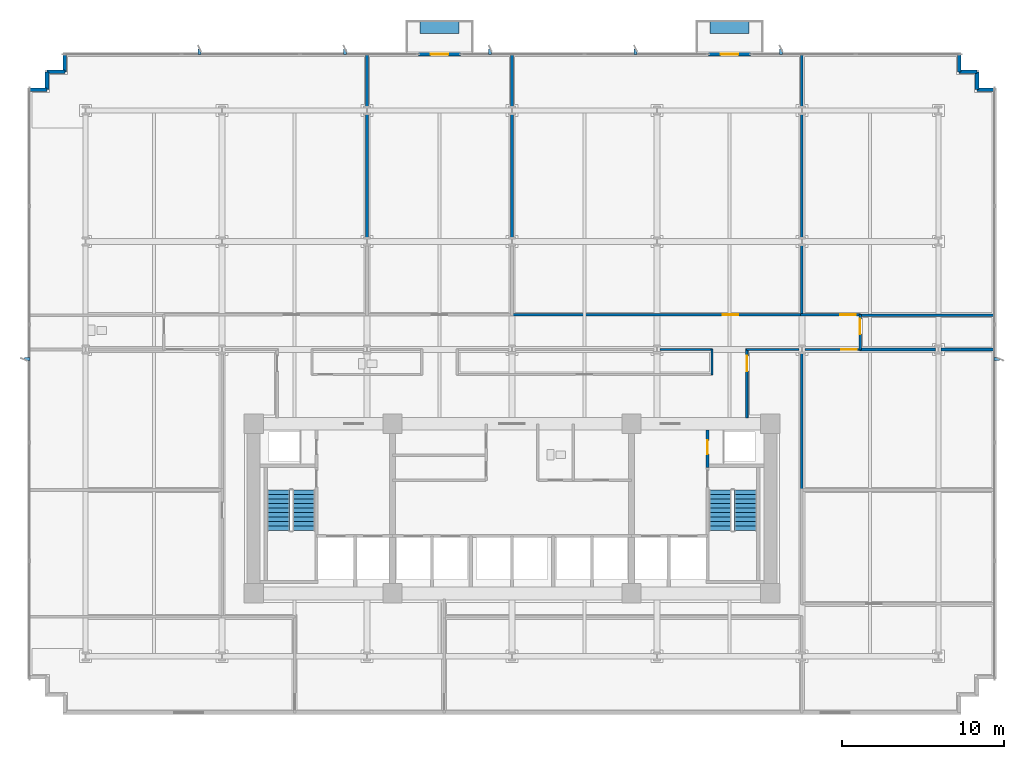
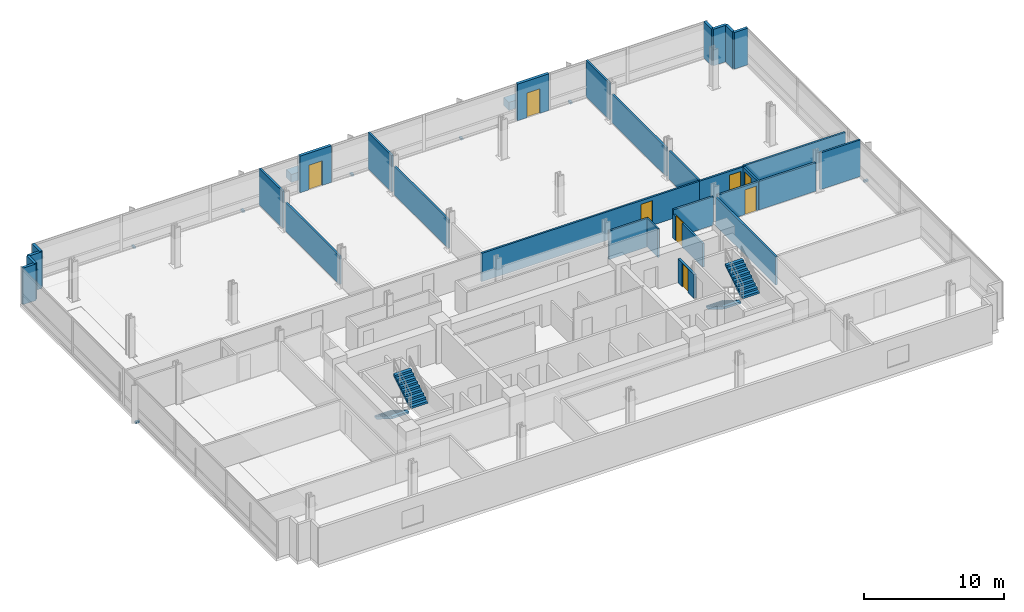
# One storey, part 10 of 14: 30 walls, 9 discrete accessories, 8 doors, 4 stair flights, 8 openings, 2 elements without a shape of their own.
"""IFC4 building model written with IfcOpenShell, lengths in metres."""

from ifc_helpers import new_model, si_unit, direction, frame, frame_2d, origin, origin_2d, place, context, subcontext, project, spatial, polyline, rectangle, outline, extrude, material, layer, layer_set, type_object, element, fill, aggregate, save


model = new_model("IFC4")

# Units and contexts
model_context = context("Model", 3, precision=1e-05, world=origin(), true_north=direction((0.0, 1.0)))
body_context = subcontext(model_context, "Body", "Model", "MODEL_VIEW")
ifc_project = project(units=[si_unit("LENGTHUNIT", "METRE"), si_unit("AREAUNIT", "SQUARE_METRE"), si_unit("VOLUMEUNIT", "CUBIC_METRE"), si_unit("PLANEANGLEUNIT", "RADIAN"), si_unit("MASSUNIT", "GRAM", prefix="KILO")], contexts=[model_context])

# Site, building, storey
site_placement = place(None, origin())
site = spatial("IfcSite", under=ifc_project, at=site_placement, CompositionType="ELEMENT")
building_placement = place(site_placement, origin())
building = spatial("IfcBuilding", under=site, at=building_placement, Name="Solmavex Isthmus Hotel", CompositionType="ELEMENT")
storey_placement = place(building_placement, frame((0.0, 0.0, 50.550048828125)))
storey = spatial("IfcBuildingStorey", under=building, at=storey_placement, Name="L13", CompositionType="ELEMENT", Elevation=50.550048828125)

# Wall, opening, door
ifc_material_1 = material(Name="Precast Concrete C40/50", Category="concrete")
ifc_layer_1 = layer(ifc_material_1, 0.25)
ifc_layer_set_1 = layer_set([ifc_layer_1], Name="Precast Concrete C40/50")
wall_type_1 = type_object("IfcWallType", Name="EW-TWR-250", PredefinedType="STANDARD", material=ifc_layer_set_1)
wall_1_placement = place(storey_placement, frame((-5.7880859375, 20.3798828125, 0.0), z_axis=(0.0, 0.0, 1.0), x_axis=(1.0, 0.0, 0.0)))
wall_1 = element("IfcWall", 1, at=wall_1_placement, inside=storey, type_object=wall_type_1, Name="Exterior Balcony Door Wall L13-2", PredefinedType="STANDARD", context=body_context, shape_type="SweptSolid", body=[
    extrude(rectangle(XDim=2.60009765625, YDim=0.239990234375, at=frame_2d((1.300048828125, 0.0))), origin(), (0.0, 0.0, 1.0), 3.18994140625),
])
opening_1_placement = place(wall_1_placement, frame((0.75, 0.0, 0.0)))
opening_1 = element("IfcOpeningElement", 2, at=opening_1_placement, cuts=wall_1, Name="Opening ED-02", PredefinedType="OPENING", context=body_context, shape_type="SweptSolid", body=[
    extrude(rectangle(XDim=1.10009765625, YDim=2.14990234375, at=frame_2d((0.550048828125, 1.074951171875))), frame((0.0, 0.1298828125, 0.0), z_axis=(0.0, -1.0, 0.0), x_axis=(1.0, 0.0, 0.0)), (0.0, 0.0, 1.0), 0.260009765625),
])
ifc_material_2 = material(Name="Aluminium alloy 6063-T6", Category="aluminium")
door_type_1 = type_object("IfcDoorType", Name="EDR-BALC-1100", OperationType="NOTDEFINED", PredefinedType="DOOR", material=ifc_material_2)
door_1_placement = place(opening_1_placement, origin())
door_1 = element("IfcDoor", 3, at=door_1_placement, inside=storey, type_object=door_type_1, Name="Balcony & Terrace Glazed Door L13-2", OperationType="SINGLE_SWING_RIGHT", OverallHeight=2.14990234375, OverallWidth=1.10009765625, PredefinedType="DOOR", context=body_context, shape_type="SweptSolid", body=[
    extrude(rectangle(XDim=1.10009765625, YDim=2.14990234375, at=frame_2d((0.550048828125, 1.074951171875))), frame((0.0, 0.02490234375, 0.0), z_axis=(0.0, -1.0, 0.0), x_axis=(1.0, 0.0, 0.0)), (0.0, 0.0, 1.0), 0.050048828125),
])
fill(opening_1, door_1)

wall_2_placement = place(storey_placement, frame((12.1640625, 20.3798828125, 0.0), z_axis=(0.0, 0.0, 1.0), x_axis=(1.0, 0.0, 0.0)))
wall_2 = element("IfcWall", 4, at=wall_2_placement, inside=storey, type_object=wall_type_1, Name="Exterior Balcony Door Wall L13-3", PredefinedType="STANDARD", context=body_context, shape_type="SweptSolid", body=[
    extrude(rectangle(XDim=2.599853515625, YDim=0.239990234375, at=frame_2d((1.2998046875, 0.0))), origin(), (0.0, 0.0, 1.0), 3.18994140625),
])
opening_2_placement = place(wall_2_placement, frame((0.75, 0.0, 0.0)))
opening_2 = element("IfcOpeningElement", 5, at=opening_2_placement, cuts=wall_2, Name="Opening ED-02", PredefinedType="OPENING", context=body_context, shape_type="SweptSolid", body=[
    extrude(rectangle(XDim=1.10009765625, YDim=2.14990234375, at=frame_2d((0.550048828125, 1.074951171875))), frame((0.0, 0.1298828125, 0.0), z_axis=(0.0, -1.0, 0.0), x_axis=(1.0, 0.0, 0.0)), (0.0, 0.0, 1.0), 0.260009765625),
])
door_2_placement = place(opening_2_placement, origin())
door_2 = element("IfcDoor", 6, at=door_2_placement, inside=storey, type_object=door_type_1, Name="Balcony & Terrace Glazed Door L13-3", OperationType="SINGLE_SWING_LEFT", OverallHeight=2.14990234375, OverallWidth=1.10009765625, PredefinedType="DOOR", context=body_context, shape_type="SweptSolid", body=[
    extrude(rectangle(XDim=1.10009765625, YDim=2.14990234375, at=frame_2d((0.550048828125, 1.074951171875))), frame((0.0, 0.02490234375, 0.0), z_axis=(0.0, -1.0, 0.0), x_axis=(1.0, 0.0, 0.0)), (0.0, 0.0, 1.0), 0.050048828125),
])
fill(opening_2, door_2)

# Walls
wall_3_placement = place(storey_placement, frame((-29.889892578125, 18.18994140625, 0.0), z_axis=(0.0, 0.0, 1.0), x_axis=(1.0, 0.0, 0.0)))
element("IfcWall", 7, at=wall_3_placement, inside=storey, type_object=wall_type_1, Name="Serrated Corner Facade Panel L13-06", PredefinedType="STANDARD", context=body_context, shape_type="SweptSolid", body=[
    extrude(rectangle(XDim=1.099853515625, YDim=0.219970703125, at=frame_2d((0.5498046875, 0.0))), origin(), (0.0, 0.0, 1.0), 3.18994140625),
])
for number, where, z_axis, x_axis, name in (
    (8, (-28.7900390625, 18.18994140625, 0.0), (0.0, 0.0, 1.0), (0.0, 1.0, 0.0), "Serrated Corner Facade Panel L13-07"),
    (9, (-28.7900390625, 19.2900390625, 0.0), (0.0, 0.0, 1.0), (1.0, 0.0, 0.0), "Serrated Corner Facade Panel L13-08"),
):
    element("IfcWall", number, at=place(storey_placement, frame(where, z_axis=z_axis, x_axis=x_axis)), inside=storey, type_object=wall_type_1, Name=name, PredefinedType="STANDARD", context=body_context, shape_type="SweptSolid", body=[
        extrude(rectangle(XDim=1.10009765625, YDim=0.219970703125, at=frame_2d((0.550048828125, 0.0))), origin(), (0.0, 0.0, 1.0), 3.18994140625),
    ])
for number, where, z_axis, x_axis, name in (
    (10, (-27.68994140625, 19.2900390625, 0.0), (0.0, 0.0, 1.0), (0.0, 1.0, 0.0), "Serrated Corner Facade Panel L13-09"),
    (11, (27.68994140625, 20.389892578125, 0.0), (0.0, 0.0, 1.0), (0.0, -1.0, 0.0), "Serrated Corner Facade Panel L13-11"),
):
    element("IfcWall", number, at=place(storey_placement, frame(where, z_axis=z_axis, x_axis=x_axis)), inside=storey, type_object=wall_type_1, Name=name, PredefinedType="STANDARD", context=body_context, shape_type="SweptSolid", body=[
        extrude(rectangle(XDim=1.099853515625, YDim=0.219970703125, at=frame_2d((0.5498046875, 0.0))), origin(), (0.0, 0.0, 1.0), 3.18994140625),
    ])
for number, where, z_axis, x_axis, name in (
    (12, (27.68994140625, 19.2900390625, 0.0), (0.0, 0.0, 1.0), (1.0, 0.0, 0.0), "Serrated Corner Facade Panel L13-12"),
    (13, (28.7900390625, 19.2900390625, 0.0), (0.0, 0.0, 1.0), (0.0, -1.0, 0.0), "Serrated Corner Facade Panel L13-13"),
):
    element("IfcWall", number, at=place(storey_placement, frame(where, z_axis=z_axis, x_axis=x_axis)), inside=storey, type_object=wall_type_1, Name=name, PredefinedType="STANDARD", context=body_context, shape_type="SweptSolid", body=[
        extrude(rectangle(XDim=1.10009765625, YDim=0.219970703125, at=frame_2d((0.550048828125, 0.0))), origin(), (0.0, 0.0, 1.0), 3.18994140625),
    ])
wall_4_placement = place(storey_placement, frame((28.7900390625, 18.18994140625, 0.0), z_axis=(0.0, 0.0, 1.0), x_axis=(1.0, 0.0, 0.0)))
element("IfcWall", 14, at=wall_4_placement, inside=storey, type_object=wall_type_1, Name="Serrated Corner Facade Panel L13-14", PredefinedType="STANDARD", context=body_context, shape_type="SweptSolid", body=[
    extrude(rectangle(XDim=1.099853515625, YDim=0.219970703125, at=frame_2d((0.5498046875, 0.0))), origin(), (0.0, 0.0, 1.0), 3.18994140625),
])
ifc_material_3 = material(Name="Gypsum plasterboard lining", Category="gypsum")
ifc_layer_2 = layer(ifc_material_3, 0.159912109375)
ifc_layer_set_2 = layer_set([ifc_layer_2], Name="Gypsum plasterboard lining")
wall_type_2 = type_object("IfcWallType", Name="IW-COMP-160", PredefinedType="PARTITIONING", material=ifc_layer_set_2)
wall_5_placement = place(storey_placement, frame((-8.97607421875, 16.72509765625, 0.0), z_axis=(0.0, 0.0, 1.0), x_axis=(0.0, -1.0, 0.0)))
element("IfcWall", 15, at=wall_5_placement, inside=storey, type_object=wall_type_2, Name="Interior Partition Wall W-L13-P028", PredefinedType="PARTITIONING", context=body_context, shape_type="SweptSolid", body=[
    extrude(rectangle(XDim=7.76220703125, YDim=0.159912109375, at=frame_2d((3.881103515625, 0.0))), origin(), (0.0, 0.0, 1.0), 2.4794921875),
])
wall_6_placement = place(storey_placement, frame((-8.97607421875, 20.419921875, 0.0), z_axis=(0.0, 0.0, 1.0), x_axis=(0.0, -1.0, 0.0)))
element("IfcWall", 16, at=wall_6_placement, inside=storey, type_object=wall_type_2, Name="Interior Partition Wall W-L13-P029", PredefinedType="PARTITIONING", context=body_context, shape_type="SweptSolid", body=[
    extrude(rectangle(XDim=3.344970703125, YDim=0.159912109375, at=frame_2d((1.67236328125, 0.0))), origin(), (0.0, 0.0, 1.0), 3.18994140625),
])
wall_7_placement = place(storey_placement, frame((0.0, 16.72509765625, 0.0), z_axis=(0.0, 0.0, 1.0), x_axis=(0.0, -1.0, 0.0)))
element("IfcWall", 17, at=wall_7_placement, inside=storey, type_object=wall_type_2, Name="Interior Partition Wall W-L13-P032", PredefinedType="PARTITIONING", context=body_context, shape_type="SweptSolid", body=[
    extrude(rectangle(XDim=7.76220703125, YDim=0.159912109375, at=frame_2d((3.881103515625, 0.0))), origin(), (0.0, 0.0, 1.0), 2.4794921875),
])
wall_8_placement = place(storey_placement, frame((0.0, 20.419921875, 0.0), z_axis=(0.0, 0.0, 1.0), x_axis=(0.0, -1.0, 0.0)))
element("IfcWall", 18, at=wall_8_placement, inside=storey, type_object=wall_type_2, Name="Interior Partition Wall W-L13-P033", PredefinedType="PARTITIONING", context=body_context, shape_type="SweptSolid", body=[
    extrude(rectangle(XDim=3.344970703125, YDim=0.159912109375, at=frame_2d((1.67236328125, 0.0))), origin(), (0.0, 0.0, 1.0), 3.18994140625),
])
wall_9_placement = place(storey_placement, frame((17.951904296875, 8.613037109375, 0.0), z_axis=(0.0, 0.0, 1.0), x_axis=(0.0, -1.0, 0.0)))
element("IfcWall", 19, at=wall_9_placement, inside=storey, type_object=wall_type_2, Name="Interior Partition Wall W-L13-P034", PredefinedType="PARTITIONING", context=body_context, shape_type="SweptSolid", body=[
    extrude(rectangle(XDim=4.403076171875, YDim=0.159912109375, at=frame_2d((2.20166015625, 0.0))), origin(), (0.0, 0.0, 1.0), 2.4794921875),
])
wall_10_placement = place(storey_placement, frame((17.951904296875, 16.72509765625, 0.0), z_axis=(0.0, 0.0, 1.0), x_axis=(0.0, -1.0, 0.0)))
element("IfcWall", 20, at=wall_10_placement, inside=storey, type_object=wall_type_2, Name="Interior Partition Wall W-L13-P035", PredefinedType="PARTITIONING", context=body_context, shape_type="SweptSolid", body=[
    extrude(rectangle(XDim=7.76220703125, YDim=0.159912109375, at=frame_2d((3.881103515625, 0.0))), origin(), (0.0, 0.0, 1.0), 2.4794921875),
])
wall_11_placement = place(storey_placement, frame((17.951904296875, 20.419921875, 0.0), z_axis=(0.0, 0.0, 1.0), x_axis=(0.0, -1.0, 0.0)))
element("IfcWall", 21, at=wall_11_placement, inside=storey, type_object=wall_type_2, Name="Interior Partition Wall W-L13-P036", PredefinedType="PARTITIONING", context=body_context, shape_type="SweptSolid", body=[
    extrude(rectangle(XDim=3.344970703125, YDim=0.159912109375, at=frame_2d((1.67236328125, 0.0))), origin(), (0.0, 0.0, 1.0), 3.18994140625),
])
wall_12_placement = place(storey_placement, frame((29.919921875, 4.22998046875, 0.0), z_axis=(0.0, 0.0, 1.0), x_axis=(-1.0, 0.0, 0.0)))
element("IfcWall", 22, at=wall_12_placement, inside=storey, type_object=wall_type_2, Name="Interior Partition Wall W-L13-P037", PredefinedType="PARTITIONING", context=body_context, shape_type="SweptSolid", body=[
    extrude(rectangle(XDim=8.407958984375, YDim=0.159912109375, at=frame_2d((4.2041015625, 0.0))), origin(), (0.0, 0.0, 1.0), 2.55322265625),
])
wall_13_placement = place(storey_placement, frame((26.22509765625, 2.10009765625, 0.0), z_axis=(0.0, 0.0, 1.0), x_axis=(-1.0, 0.0, 0.0)))
element("IfcWall", 23, at=wall_13_placement, inside=storey, type_object=wall_type_2, Name="Interior Partition Wall W-L13-P040", PredefinedType="PARTITIONING", context=body_context, shape_type="SweptSolid", body=[
    extrude(rectangle(XDim=4.713134765625, YDim=0.159912109375, at=frame_2d((2.3564453125, 0.0))), origin(), (0.0, 0.0, 1.0), 2.4794921875),
])
wall_14_placement = place(storey_placement, frame((29.919921875, 2.10009765625, 0.0), z_axis=(0.0, 0.0, 1.0), x_axis=(-1.0, 0.0, 0.0)))
element("IfcWall", 24, at=wall_14_placement, inside=storey, type_object=wall_type_2, Name="Interior Partition Wall W-L13-P041", PredefinedType="PARTITIONING", context=body_context, shape_type="SweptSolid", body=[
    extrude(rectangle(XDim=3.344970703125, YDim=0.159912109375, at=frame_2d((1.67236328125, 0.0))), origin(), (0.0, 0.0, 1.0), 3.18994140625),
])
wall_15_placement = place(storey_placement, frame((17.951904296875, 1.925048828125, 0.0), z_axis=(0.0, 0.0, 1.0), x_axis=(0.0, -1.0, 0.0)))
element("IfcWall", 25, at=wall_15_placement, inside=storey, type_object=wall_type_2, Name="Interior Partition Wall W-L13-P050", PredefinedType="PARTITIONING", context=body_context, shape_type="SweptSolid", body=[
    extrude(rectangle(XDim=8.60693359375, YDim=0.159912109375, at=frame_2d((4.303466796875, 0.0))), origin(), (0.0, 0.0, 1.0), 2.4794921875),
])

# Wall, opening, door
ifc_layer_3 = layer(ifc_material_3, 0.14990234375)
ifc_layer_set_3 = layer_set([ifc_layer_3], Name="Gypsum plasterboard lining")
wall_type_3 = type_object("IfcWallType", Name="IW-CORR-150", PredefinedType="PARTITIONING", material=ifc_layer_set_3)
wall_16_placement = place(storey_placement, frame((-0.08203125, 4.25, 0.0), z_axis=(0.0, 0.0, 1.0), x_axis=(1.0, 0.0, 0.0)))
wall_16 = element("IfcWall", 26, at=wall_16_placement, inside=storey, type_object=wall_type_3, Name="Interior Partition Wall W-L13-P003", PredefinedType="PARTITIONING", context=body_context, shape_type="SweptSolid", body=[
    extrude(rectangle(XDim=18.115966796875, YDim=0.14990234375, at=frame_2d((9.05810546875, 0.0))), origin(), (0.0, 0.0, 1.0), 2.4794921875),
])
opening_3_placement = place(wall_16_placement, frame((13.128173828125, 0.0, 0.0)))
opening_3 = element("IfcOpeningElement", 27, at=opening_3_placement, cuts=wall_16, Name="Opening ID-C095", PredefinedType="OPENING", context=body_context, shape_type="SweptSolid", body=[
    extrude(rectangle(XDim=0.949951171875, YDim=2.14990234375, at=frame_2d((0.47509765625, 1.074951171875))), frame((0.0, 0.0849609375, 0.0), z_axis=(0.0, -1.0, 0.0), x_axis=(1.0, 0.0, 0.0)), (0.0, 0.0, 1.0), 0.169921875),
])
ifc_material_4 = material(Name="Hardwood timber", Category="wood")
door_type_2 = type_object("IfcDoorType", Name="IDR-FD60-0950", OperationType="NOTDEFINED", PredefinedType="DOOR", material=ifc_material_4)
door_3_placement = place(opening_3_placement, origin())
door_3 = element("IfcDoor", 28, at=door_3_placement, inside=storey, type_object=door_type_2, Name="Corporate Briefing Office Door L13-03", OperationType="SINGLE_SWING_LEFT", OverallHeight=2.14990234375, OverallWidth=0.949951171875, PredefinedType="DOOR", context=body_context, shape_type="SweptSolid", body=[
    extrude(rectangle(XDim=0.949951171875, YDim=2.14990234375, at=frame_2d((0.47509765625, 1.074951171875))), frame((0.0, 0.02490234375, 0.0), z_axis=(0.0, -1.0, 0.0), x_axis=(1.0, 0.0, 0.0)), (0.0, 0.0, 1.0), 0.050048828125),
])
fill(opening_3, door_3)

wall_17_placement = place(storey_placement, frame((17.8701171875, 4.25, 0.0), z_axis=(0.0, 0.0, 1.0), x_axis=(1.0, 0.0, 0.0)))
wall_17 = element("IfcWall", 29, at=wall_17_placement, inside=storey, type_object=wall_type_3, Name="Interior Partition Wall W-L13-P004", PredefinedType="PARTITIONING", context=body_context, shape_type="SweptSolid", body=[
    extrude(rectangle(XDim=3.721923828125, YDim=0.14990234375, at=frame_2d((1.86083984375, 0.0))), origin(), (0.0, 0.0, 1.0), 2.4794921875),
])
opening_4_placement = place(wall_17_placement, frame((2.456787109375, 0.0, 0.0)))
opening_4 = element("IfcOpeningElement", 30, at=opening_4_placement, cuts=wall_17, Name="Opening ID-C095", PredefinedType="OPENING", context=body_context, shape_type="SweptSolid", body=[
    extrude(rectangle(XDim=0.949951171875, YDim=2.14990234375, at=frame_2d((0.47509765625, 1.074951171875))), frame((0.0, 0.0849609375, 0.0), z_axis=(0.0, -1.0, 0.0), x_axis=(1.0, 0.0, 0.0)), (0.0, 0.0, 1.0), 0.169921875),
])
door_4_placement = place(opening_4_placement, origin())
door_4 = element("IfcDoor", 31, at=door_4_placement, inside=storey, type_object=door_type_2, Name="Corporate Briefing Office Door L13-04", OperationType="SINGLE_SWING_RIGHT", OverallHeight=2.14990234375, OverallWidth=0.949951171875, PredefinedType="DOOR", context=body_context, shape_type="SweptSolid", body=[
    extrude(rectangle(XDim=0.949951171875, YDim=2.14990234375, at=frame_2d((0.47509765625, 1.074951171875))), frame((0.0, 0.02490234375, 0.0), z_axis=(0.0, -1.0, 0.0), x_axis=(1.0, 0.0, 0.0)), (0.0, 0.0, 1.0), 0.050048828125),
])
fill(opening_4, door_4)

wall_18_placement = place(storey_placement, frame((21.552001953125, 4.27001953125, 0.0), z_axis=(0.0, 0.0, 1.0), x_axis=(0.0, -1.0, 0.0)))
wall_18 = element("IfcWall", 32, at=wall_18_placement, inside=storey, type_object=wall_type_3, Name="Interior Partition Wall W-L13-P012", PredefinedType="PARTITIONING", context=body_context, shape_type="SweptSolid", body=[
    extrude(rectangle(XDim=2.2099609375, YDim=0.14990234375, at=frame_2d((1.10498046875, 0.0))), origin(), (0.0, 0.0, 1.0), 2.4794921875),
])
opening_5_placement = place(wall_18_placement, frame((0.272216796875, 0.0, 0.0)))
opening_5 = element("IfcOpeningElement", 33, at=opening_5_placement, cuts=wall_18, Name="Opening ID-C095", PredefinedType="OPENING", context=body_context, shape_type="SweptSolid", body=[
    extrude(rectangle(XDim=0.949951171875, YDim=2.14990234375, at=frame_2d((0.47509765625, 1.074951171875))), frame((0.0, 0.0849609375, 0.0), z_axis=(0.0, -1.0, 0.0), x_axis=(1.0, 0.0, 0.0)), (0.0, 0.0, 1.0), 0.169921875),
])
door_5_placement = place(opening_5_placement, origin())
door_5 = element("IfcDoor", 34, at=door_5_placement, inside=storey, type_object=door_type_2, Name="Executive Boardroom Door L13-07", OperationType="SINGLE_SWING_LEFT", OverallHeight=2.14990234375, OverallWidth=0.949951171875, PredefinedType="DOOR", context=body_context, shape_type="SweptSolid", body=[
    extrude(rectangle(XDim=0.949951171875, YDim=2.14990234375, at=frame_2d((0.47509765625, 1.074951171875))), frame((0.0, 0.02490234375, 0.0), z_axis=(0.0, -1.0, 0.0), x_axis=(1.0, 0.0, 0.0)), (0.0, 0.0, 1.0), 0.050048828125),
])
fill(opening_5, door_5)

# Walls
wall_19_placement = place(storey_placement, frame((12.424072265625, 2.10009765625, 0.0), z_axis=(0.0, 0.0, 1.0), x_axis=(-1.0, 0.0, 0.0)))
element("IfcWall", 35, at=wall_19_placement, inside=storey, type_object=wall_type_3, Name="Interior Partition Wall W-L13-P013", PredefinedType="PARTITIONING", context=body_context, shape_type="SweptSolid", body=[
    extrude(rectangle(XDim=3.273193359375, YDim=0.14990234375, at=frame_2d((1.63671875, 0.0))), origin(), (0.0, 0.0, 1.0), 2.4794921875),
])
wall_20_placement = place(storey_placement, frame((12.384033203125, 0.510009765625, 0.0), z_axis=(0.0, 0.0, 1.0), x_axis=(0.0, 1.0, 0.0)))
element("IfcWall", 36, at=wall_20_placement, inside=storey, type_object=wall_type_3, Name="Interior Partition Wall W-L13-P020", PredefinedType="PARTITIONING", context=body_context, shape_type="SweptSolid", body=[
    extrude(rectangle(XDim=1.6298828125, YDim=0.14990234375, at=frame_2d((0.81494140625, 0.0))), origin(), (0.0, 0.0, 1.0), 2.4794921875),
])
wall_21_placement = place(storey_placement, frame((17.777099609375, 2.10009765625, 0.0), z_axis=(0.0, 0.0, 1.0), x_axis=(-1.0, 0.0, 0.0)))
element("IfcWall", 37, at=wall_21_placement, inside=storey, type_object=wall_type_3, Name="Interior Partition Wall W-L13-P023", PredefinedType="PARTITIONING", context=body_context, shape_type="SweptSolid", body=[
    extrude(rectangle(XDim=3.273193359375, YDim=0.14990234375, at=frame_2d((1.63671875, 0.0))), origin(), (0.0, 0.0, 1.0), 2.4794921875),
])

# Wall, opening, door
wall_22_placement = place(storey_placement, frame((14.5439453125, 2.139892578125, 0.0), z_axis=(0.0, 0.0, 1.0), x_axis=(0.0, -1.0, 0.0)))
wall_22 = element("IfcWall", 38, at=wall_22_placement, inside=storey, type_object=wall_type_3, Name="Interior Partition Wall W-L13-P024", PredefinedType="PARTITIONING", context=body_context, shape_type="SweptSolid", body=[
    extrude(rectangle(XDim=4.27978515625, YDim=0.14990234375, at=frame_2d((2.139892578125, 0.0))), origin(), (0.0, 0.0, 1.0), 2.074951171875),
])
opening_6_placement = place(wall_22_placement, frame((0.43017578125, 0.0, 0.0)))
opening_6 = element("IfcOpeningElement", 39, at=opening_6_placement, cuts=wall_22, Name="Opening ID-C095", PredefinedType="OPENING", context=body_context, shape_type="SweptSolid", body=[
    extrude(rectangle(XDim=0.949951171875, YDim=2.14990234375, at=frame_2d((0.47509765625, 1.074951171875))), frame((0.0, 0.0849609375, 0.0), z_axis=(0.0, -1.0, 0.0), x_axis=(1.0, 0.0, 0.0)), (0.0, 0.0, 1.0), 0.169921875),
])
door_6_placement = place(opening_6_placement, frame((0.949951171875, 0.0, 0.0), z_axis=(0.0, 0.0, 1.0), x_axis=(-1.0, 0.0, 0.0)))
door_6 = element("IfcDoor", 40, at=door_6_placement, inside=storey, type_object=door_type_2, Name="Catering Servery Kitchen Door L13-10", OperationType="SINGLE_SWING_RIGHT", OverallHeight=2.14990234375, OverallWidth=0.949951171875, PredefinedType="DOOR", context=body_context, shape_type="SweptSolid", body=[
    extrude(rectangle(XDim=0.949951171875, YDim=2.14990234375, at=frame_2d((0.47509765625, 1.074951171875))), frame((0.0, 0.02490234375, 0.0), z_axis=(0.0, -1.0, 0.0), x_axis=(1.0, 0.0, 0.0)), (0.0, 0.0, 1.0), 0.050048828125),
])
fill(opening_6, door_6)

wall_23_placement = place(storey_placement, frame((21.592041015625, 2.10009765625, 0.0), z_axis=(0.0, 0.0, 1.0), x_axis=(-1.0, 0.0, 0.0)))
wall_23 = element("IfcWall", 41, at=wall_23_placement, inside=storey, type_object=wall_type_3, Name="Interior Partition Wall W-L13-P026", PredefinedType="PARTITIONING", context=body_context, shape_type="SweptSolid", body=[
    extrude(rectangle(XDim=3.465087890625, YDim=0.14990234375, at=frame_2d((1.732421875, 0.0))), origin(), (0.0, 0.0, 1.0), 2.4794921875),
])
opening_7_placement = place(wall_23_placement, frame((0.26220703125, 0.0, 0.0)))
opening_7 = element("IfcOpeningElement", 42, at=opening_7_placement, cuts=wall_23, Name="Opening ID-C095", PredefinedType="OPENING", context=body_context, shape_type="SweptSolid", body=[
    extrude(rectangle(XDim=0.949951171875, YDim=2.14990234375, at=frame_2d((0.47509765625, 1.074951171875))), frame((0.0, 0.0849609375, 0.0), z_axis=(0.0, -1.0, 0.0), x_axis=(1.0, 0.0, 0.0)), (0.0, 0.0, 1.0), 0.169921875),
])
door_7_placement = place(opening_7_placement, origin())
door_7 = element("IfcDoor", 43, at=door_7_placement, inside=storey, type_object=door_type_2, Name="Catering Servery Kitchen Door L13-15", OperationType="SINGLE_SWING_LEFT", OverallHeight=2.14990234375, OverallWidth=0.949951171875, PredefinedType="DOOR", context=body_context, shape_type="SweptSolid", body=[
    extrude(rectangle(XDim=0.949951171875, YDim=2.14990234375, at=frame_2d((0.47509765625, 1.074951171875))), frame((0.0, 0.02490234375, 0.0), z_axis=(0.0, -1.0, 0.0), x_axis=(1.0, 0.0, 0.0)), (0.0, 0.0, 1.0), 0.050048828125),
])
fill(opening_7, door_7)

ifc_material_5 = material(Name="Concrete C40/50", Category="concrete")
ifc_layer_4 = layer(ifc_material_5, 0.199951171875)
ifc_layer_set_4 = layer_set([ifc_layer_4], Name="Concrete C40/50")
wall_type_4 = type_object("IfcWallType", Name="IW-SHAFT-200", PredefinedType="PARTITIONING", material=ifc_layer_set_4)
wall_24_placement = place(storey_placement, frame((12.10009765625, -5.199951171875, 0.0), z_axis=(0.0, 0.0, 1.0), x_axis=(0.0, 1.0, 0.0)))
wall_24 = element("IfcWall", 44, at=wall_24_placement, inside=storey, type_object=wall_type_4, Name="Interior Partition Wall W-L13-RSE-W", PredefinedType="PARTITIONING", context=body_context, shape_type="SweptSolid", body=[
    extrude(rectangle(XDim=2.300048828125, YDim=0.199951171875, at=frame_2d((1.14990234375, 0.0))), origin(), (0.0, 0.0, 1.0), 2.074951171875),
])
opening_8_placement = place(wall_24_placement, frame((0.824951171875, 0.0, 0.0)))
opening_8 = element("IfcOpeningElement", 45, at=opening_8_placement, cuts=wall_24, Name="Opening ID-R085", PredefinedType="OPENING", context=body_context, shape_type="SweptSolid", body=[
    extrude(rectangle(XDim=0.85009765625, YDim=2.050048828125, at=frame_2d((0.425048828125, 1.02490234375))), frame((0.0, 0.10986328125, 0.0), z_axis=(0.0, -1.0, 0.0), x_axis=(1.0, 0.0, 0.0)), (0.0, 0.0, 1.0), 0.219970703125),
])
ifc_material_6 = material(Name="Steel ASTM A500 Grade C", Category="steel")
door_type_3 = type_object("IfcDoorType", Name="IDR-FD60-0850", OperationType="NOTDEFINED", PredefinedType="DOOR", material=ifc_material_6)
door_8_placement = place(opening_8_placement, frame((0.85009765625, 0.0, 0.0), z_axis=(0.0, 0.0, 1.0), x_axis=(-1.0, 0.0, 0.0)))
door_8 = element("IfcDoor", 46, at=door_8_placement, inside=storey, type_object=door_type_3, Name="Mechanical Riser Door L13", OperationType="SINGLE_SWING_LEFT", OverallHeight=2.050048828125, OverallWidth=0.85009765625, PredefinedType="DOOR", context=body_context, shape_type="SweptSolid", body=[
    extrude(rectangle(XDim=0.85009765625, YDim=2.050048828125, at=frame_2d((0.425048828125, 1.02490234375))), frame((0.0, 0.02490234375, 0.0), z_axis=(0.0, -1.0, 0.0), x_axis=(1.0, 0.0, 0.0)), (0.0, 0.0, 1.0), 0.050048828125),
])
fill(opening_8, door_8)

# Stair, stair flights
stair_type_1 = type_object("IfcStairType", Name="STR-ST-1", PredefinedType="HALF_TURN_STAIR", material=ifc_material_5)
stair_1_placement = place(storey_placement, origin())
stair_1 = element("IfcStair", 47, at=stair_1_placement, inside=storey, type_object=stair_type_1, Name="L13 Protected Exit Stair ST-1", PredefinedType="HALF_TURN_STAIR")
stair_flight_type_1 = type_object("IfcStairFlightType", Name="SFL-ST-1", PredefinedType="STRAIGHT", material=ifc_material_5)
stair_flight_1_placement = place(storey_placement, frame((-14.449951171875, -6.60009765625, 0.0), z_axis=(0.0, 0.0, 1.0), x_axis=(0.0, -1.0, 0.0)))
stair_flight_1 = element("IfcStairFlight", 48, at=stair_flight_1_placement, type_object=stair_flight_type_1, Name="ST-1 flight 1", NumberOfRisers=10, NumberOfTreads=9, PredefinedType="STRAIGHT", RiserHeight=0.1725, TreadLength=0.28, context=body_context, shape_type="SweptSolid", body=[
    extrude(outline(polyline([(0.0, 0.0), (0.0, 0.172607421875), (0.280029296875, 0.172607421875), (0.280029296875, 0.344970703125), (0.56005859375, 0.344970703125), (0.56005859375, 0.517578125), (0.840087890625, 0.517578125), (0.840087890625, 0.68994140625), (1.1201171875, 0.68994140625), (1.1201171875, 0.862548828125), (1.39990234375, 0.862548828125), (1.39990234375, 1.034912109375), (1.679931640625, 1.034912109375), (1.679931640625, 1.20751953125), (1.9599609375, 1.20751953125), (1.9599609375, 1.3798828125), (2.239990234375, 1.3798828125), (2.239990234375, 1.552490234375), (2.52001953125, 1.552490234375), (2.52001953125, 1.72509765625), (2.52001953125, 1.37646484375), (0.285888671875, 0.0), (0.0, 0.0)])), frame((0.0, 0.699951171875, 0.0), z_axis=(0.0, -1.0, 0.0), x_axis=(1.0, 0.0, 0.0)), (0.0, 0.0, 1.0), 1.39990234375),
])
stair_flight_2_placement = place(storey_placement, frame((-12.89990234375, -9.1201171875, 1.724853515625), z_axis=(0.0, 0.0, 1.0), x_axis=(0.0, 1.0, 0.0)))
stair_flight_2 = element("IfcStairFlight", 49, at=stair_flight_2_placement, type_object=stair_flight_type_1, Name="ST-1 flight 2", NumberOfRisers=10, NumberOfTreads=9, PredefinedType="STRAIGHT", RiserHeight=0.1725, TreadLength=0.28, context=body_context, shape_type="SweptSolid", body=[
    extrude(outline(polyline([(0.0, 0.0), (0.0, 0.172607421875), (0.280029296875, 0.172607421875), (0.280029296875, 0.344970703125), (0.56005859375, 0.344970703125), (0.56005859375, 0.517578125), (0.840087890625, 0.517578125), (0.840087890625, 0.68994140625), (1.1201171875, 0.68994140625), (1.1201171875, 0.862548828125), (1.39990234375, 0.862548828125), (1.39990234375, 1.034912109375), (1.679931640625, 1.034912109375), (1.679931640625, 1.20751953125), (1.9599609375, 1.20751953125), (1.9599609375, 1.3798828125), (2.239990234375, 1.3798828125), (2.239990234375, 1.552490234375), (2.52001953125, 1.552490234375), (2.52001953125, 1.72509765625), (2.52001953125, 1.37646484375), (0.285888671875, 0.0), (0.0, 0.0)])), frame((0.0, 0.699951171875, 0.0), z_axis=(0.0, -1.0, 0.0), x_axis=(1.0, 0.0, 0.0)), (0.0, 0.0, 1.0), 1.39990234375),
])
aggregate(stair_1, [stair_flight_1, stair_flight_2])

stair_type_2 = type_object("IfcStairType", Name="STR-ST-2", PredefinedType="HALF_TURN_STAIR", material=ifc_material_5)
stair_2_placement = place(storey_placement, origin())
stair_2 = element("IfcStair", 50, at=stair_2_placement, inside=storey, type_object=stair_type_2, Name="L13 Protected Exit Stair ST-2", PredefinedType="HALF_TURN_STAIR")
stair_flight_type_2 = type_object("IfcStairFlightType", Name="SFL-ST-2", PredefinedType="STRAIGHT", material=ifc_material_5)
stair_flight_3_placement = place(storey_placement, frame((12.89990234375, -6.60009765625, 0.0), z_axis=(0.0, 0.0, 1.0), x_axis=(0.0, -1.0, 0.0)))
stair_flight_3 = element("IfcStairFlight", 51, at=stair_flight_3_placement, type_object=stair_flight_type_2, Name="ST-2 flight 1", NumberOfRisers=10, NumberOfTreads=9, PredefinedType="STRAIGHT", RiserHeight=0.1725, TreadLength=0.28, context=body_context, shape_type="SweptSolid", body=[
    extrude(outline(polyline([(0.0, 0.0), (0.0, 0.172607421875), (0.280029296875, 0.172607421875), (0.280029296875, 0.344970703125), (0.56005859375, 0.344970703125), (0.56005859375, 0.517578125), (0.840087890625, 0.517578125), (0.840087890625, 0.68994140625), (1.1201171875, 0.68994140625), (1.1201171875, 0.862548828125), (1.39990234375, 0.862548828125), (1.39990234375, 1.034912109375), (1.679931640625, 1.034912109375), (1.679931640625, 1.20751953125), (1.9599609375, 1.20751953125), (1.9599609375, 1.3798828125), (2.239990234375, 1.3798828125), (2.239990234375, 1.552490234375), (2.52001953125, 1.552490234375), (2.52001953125, 1.72509765625), (2.52001953125, 1.37646484375), (0.285888671875, 0.0), (0.0, 0.0)])), frame((0.0, 0.699951171875, 0.0), z_axis=(0.0, -1.0, 0.0), x_axis=(1.0, 0.0, 0.0)), (0.0, 0.0, 1.0), 1.39990234375),
])
stair_flight_4_placement = place(storey_placement, frame((14.449951171875, -9.1201171875, 1.724853515625), z_axis=(0.0, 0.0, 1.0), x_axis=(0.0, 1.0, 0.0)))
stair_flight_4 = element("IfcStairFlight", 52, at=stair_flight_4_placement, type_object=stair_flight_type_2, Name="ST-2 flight 2", NumberOfRisers=10, NumberOfTreads=9, PredefinedType="STRAIGHT", RiserHeight=0.1725, TreadLength=0.28, context=body_context, shape_type="SweptSolid", body=[
    extrude(outline(polyline([(0.0, 0.0), (0.0, 0.172607421875), (0.280029296875, 0.172607421875), (0.280029296875, 0.344970703125), (0.56005859375, 0.344970703125), (0.56005859375, 0.517578125), (0.840087890625, 0.517578125), (0.840087890625, 0.68994140625), (1.1201171875, 0.68994140625), (1.1201171875, 0.862548828125), (1.39990234375, 0.862548828125), (1.39990234375, 1.034912109375), (1.679931640625, 1.034912109375), (1.679931640625, 1.20751953125), (1.9599609375, 1.20751953125), (1.9599609375, 1.3798828125), (2.239990234375, 1.3798828125), (2.239990234375, 1.552490234375), (2.52001953125, 1.552490234375), (2.52001953125, 1.72509765625), (2.52001953125, 1.37646484375), (0.285888671875, 0.0), (0.0, 0.0)])), frame((0.0, 0.699951171875, 0.0), z_axis=(0.0, -1.0, 0.0), x_axis=(1.0, 0.0, 0.0)), (0.0, 0.0, 1.0), 1.39990234375),
])
aggregate(stair_2, [stair_flight_3, stair_flight_4])

# Discrete accessories
ifc_material_7 = material(Name="Steel ASTM A572 Grade 50", Category="steel")
discrete_accessory_type_1 = type_object("IfcDiscreteAccessoryType", Name="ACC-BRK-FIN", PredefinedType="BRACKET", material=ifc_material_7)
for number, where, z_axis, x_axis, name in (
    (53, (-19.35009765625, 20.52001953125, -0.169921875), (0.0, 0.0, 1.0), (0.0, 1.0, 0.0), "Facade Fin Support Bracket L13-N1"),
    (54, (-10.35009765625, 20.52001953125, -0.169921875), (0.0, 0.0, 1.0), (0.0, 1.0, 0.0), "Facade Fin Support Bracket L13-N2"),
    (55, (-1.35009765625, 20.52001953125, -0.169921875), (0.0, 0.0, 1.0), (0.0, 1.0, 0.0), "Facade Fin Support Bracket L13-N3"),
    (56, (7.64990234375, 20.52001953125, -0.169921875), (0.0, 0.0, 1.0), (0.0, 1.0, 0.0), "Facade Fin Support Bracket L13-N4"),
    (57, (16.64990234375, 20.52001953125, -0.169921875), (0.0, 0.0, 1.0), (0.0, 1.0, 0.0), "Facade Fin Support Bracket L13-N5"),
    (58, (-30.02001953125, 1.5, -0.169921875), (0.0, 0.0, 1.0), (-1.0, 0.0, 0.0), "Facade Fin Support Bracket L13-W1"),
    (59, (30.02001953125, 1.5, -0.169921875), (0.0, 0.0, 1.0), (1.0, 0.0, 0.0), "Facade Fin Support Bracket L13-E1"),
):
    element("IfcDiscreteAccessory", number, at=place(storey_placement, frame(where, z_axis=z_axis, x_axis=x_axis)), inside=storey, type_object=discrete_accessory_type_1, Name=name, PredefinedType="BRACKET", context=body_context, shape_type="SweptSolid", body=[
        extrude(rectangle(XDim=0.340087890625, YDim=0.179931640625, at=origin_2d()), origin(), (0.0, 0.0, 1.0), 0.159912109375),
    ])
discrete_accessory_type_2 = type_object("IfcDiscreteAccessoryType", Name="ACC-PLN-BALC", PredefinedType="USERDEFINED", material=ifc_material_1)
for number, where, z_axis, x_axis, name in (
    (60, (-4.488037109375, 22.050048828125, 0.0), (0.0, 0.0, 1.0), (1.0, 0.0, 0.0), "Tree-Balcony Architectural Planter L13-B1"),
    (61, (13.464111328125, 22.050048828125, 0.0), (0.0, 0.0, 1.0), (1.0, 0.0, 0.0), "Tree-Balcony Architectural Planter L13-B2"),
):
    element("IfcDiscreteAccessory", number, at=place(storey_placement, frame(where, z_axis=z_axis, x_axis=x_axis)), inside=storey, type_object=discrete_accessory_type_2, Name=name, ObjectType="PLANTER", PredefinedType="USERDEFINED", context=body_context, shape_type="SweptSolid", body=[
        extrude(rectangle(XDim=2.39990234375, YDim=0.75, at=origin_2d()), origin(), (0.0, 0.0, 1.0), 0.699951171875),
    ])

save(model, "model.ifc")
